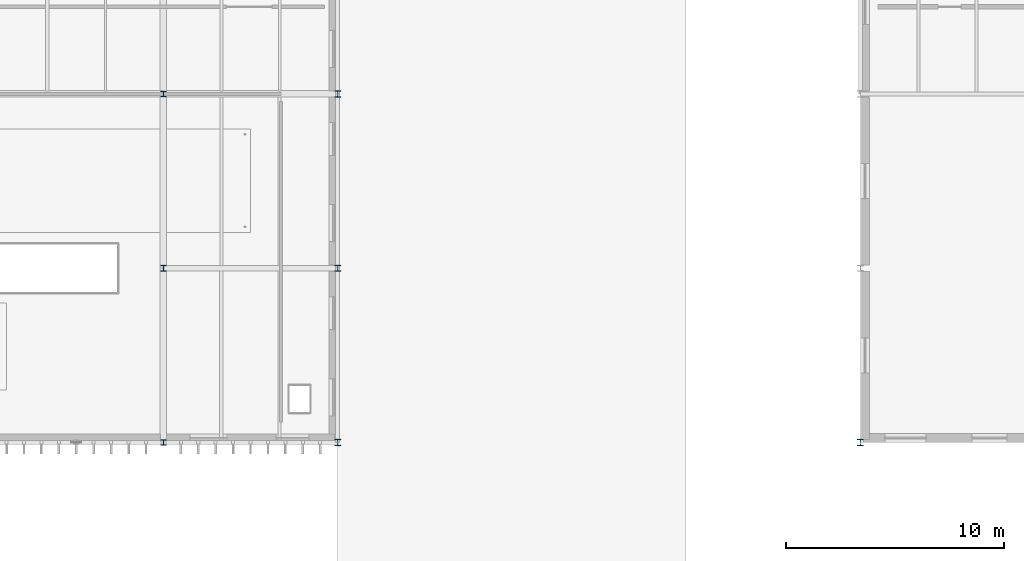
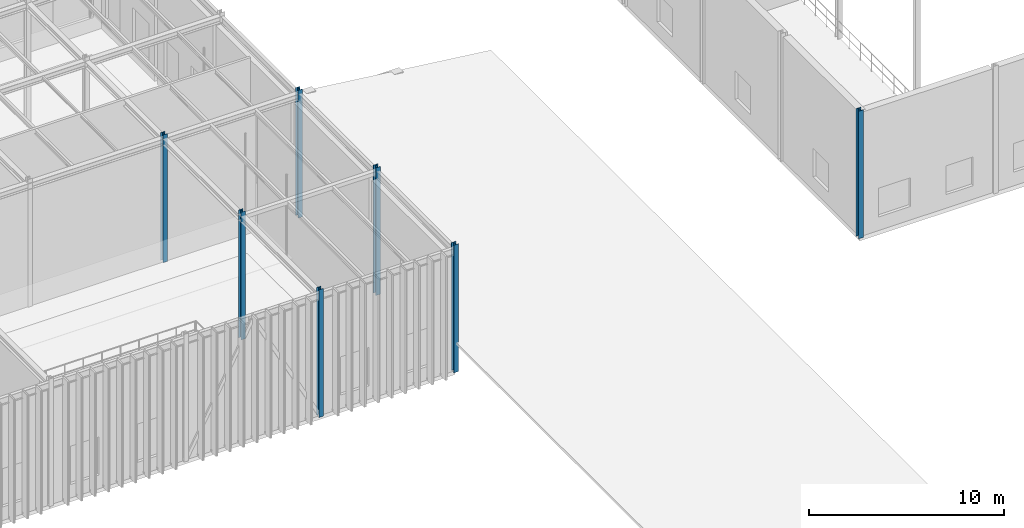
# One storey, part 11 of 138: 7 columns.
"""IFC4 building model written with IfcOpenShell, lengths in metres."""

from ifc_helpers import new_model, si_unit, direction, frame, origin, origin_2d, place, context, subcontext, project, spatial, i_section, extrude, material, material_profile, profile_set, type_object, element, save


model = new_model("IFC4")

# Units and contexts
model_context = context("Model", 3, precision=1e-05, world=origin(), true_north=direction((0.0, 1.0)))
body_context = subcontext(model_context, "Body", "Model", "MODEL_VIEW")
ifc_project = project(units=[si_unit("LENGTHUNIT", "METRE"), si_unit("AREAUNIT", "SQUARE_METRE"), si_unit("VOLUMEUNIT", "CUBIC_METRE"), si_unit("PLANEANGLEUNIT", "RADIAN"), si_unit("MASSUNIT", "GRAM", prefix="KILO")], contexts=[model_context])

# Site, building, storey
site_placement = place(None, origin())
site = spatial("IfcSite", under=ifc_project, at=site_placement, CompositionType="ELEMENT")
building_placement = place(site_placement, origin())
building = spatial("IfcBuilding", under=site, at=building_placement, Name="Sundkrona Museum", CompositionType="ELEMENT")
storey_placement = place(building_placement, frame((0.0, 0.0, 9.60009765625)))
storey = spatial("IfcBuildingStorey", under=building, at=storey_placement, Name="L02", CompositionType="ELEMENT", Elevation=9.60009765625)

# Columns
ifc_material = material(Name="Steel S355J2", Category="steel")
ifc_material_profile_1 = material_profile(ifc_material, i_section(OverallWidth=0.260009765625, OverallDepth=0.260009765625, WebThickness=0.010009765625, FlangeThickness=0.017578125, FilletRadius=0.02392578125, at=origin_2d()), Name="HEB 260")
ifc_profile_set_1 = profile_set([ifc_material_profile_1], Name="Steel S355J2")
column_type_1 = type_object("IfcColumnType", Name="C-HEB260", PredefinedType="COLUMN", material=ifc_profile_set_1)
for number, where, z_axis, x_axis, name in (
    (1, (72.0, 78.0, 0.0), (0.0, 0.0, 1.0), (1.0, 0.0, 0.0), "L02 Column L/10"),
    (2, (72.0, 86.0, 0.0), (0.0, 0.0, 1.0), (1.0, 0.0, 0.0), "L02 Column M/10"),
    (3, (72.0, 94.0, 0.0), (0.0, 0.0, 1.0), (1.0, 0.0, 0.0), "L02 Column N/10"),
):
    element("IfcColumn", number, at=place(storey_placement, frame(where, z_axis=z_axis, x_axis=x_axis)), inside=storey, type_object=column_type_1, Name=name, PredefinedType="COLUMN", context=body_context, shape_type="SweptSolid", body=[
        extrude(i_section(OverallWidth=0.260009765625, OverallDepth=0.260009765625, WebThickness=0.010009765625, FlangeThickness=0.017578125, FilletRadius=0.02392578125, at=origin_2d()), origin(), (0.0, 0.0, 1.0), 8.0),
    ])
ifc_material_profile_2 = material_profile(ifc_material, i_section(OverallWidth=0.280029296875, OverallDepth=0.280029296875, WebThickness=0.010498046875, FlangeThickness=0.01806640625, FilletRadius=0.02392578125, at=origin_2d()), Name="HEB 280")
ifc_profile_set_2 = profile_set([ifc_material_profile_2], Name="Steel S355J2")
column_type_2 = type_object("IfcColumnType", Name="C-HEB280", PredefinedType="COLUMN", material=ifc_profile_set_2)
for number, where, z_axis, x_axis, name in (
    (4, (80.0, 78.0, 0.0), (0.0, 0.0, 1.0), (1.0, 0.0, 0.0), "L02 Column L/11"),
    (5, (80.0, 86.0, 0.0), (0.0, 0.0, 1.0), (1.0, 0.0, 0.0), "L02 Column M/11"),
    (6, (80.0, 94.0, 0.0), (0.0, 0.0, 1.0), (1.0, 0.0, 0.0), "L02 Column N/11"),
    (7, (104.0, 78.0, 0.0), (0.0, 0.0, 1.0), (1.0, 0.0, 0.0), "L02 Column L/14"),
):
    element("IfcColumn", number, at=place(storey_placement, frame(where, z_axis=z_axis, x_axis=x_axis)), inside=storey, type_object=column_type_2, Name=name, PredefinedType="COLUMN", context=body_context, shape_type="SweptSolid", body=[
        extrude(i_section(OverallWidth=0.280029296875, OverallDepth=0.280029296875, WebThickness=0.010498046875, FlangeThickness=0.01806640625, FilletRadius=0.02392578125, at=origin_2d()), origin(), (0.0, 0.0, 1.0), 8.0),
    ])

save(model, "model.ifc")
